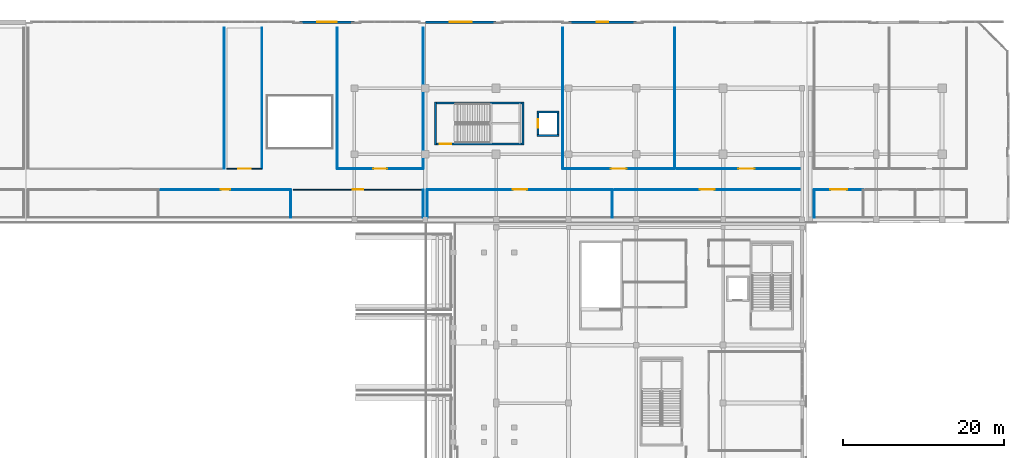
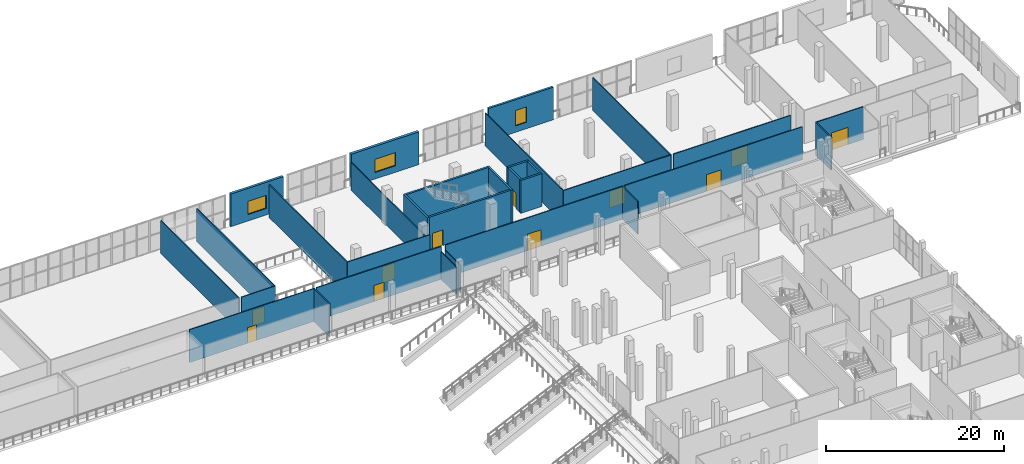
# One storey, part 87 of 129: 31 walls, 11 doors, 3 windows, 14 openings.
"""IFC4 building model written with IfcOpenShell, lengths in metres."""

from ifc_helpers import new_model, si_unit, direction, frame, frame_2d, origin, place, context, subcontext, project, spatial, rectangle, extrude, material, layer, layer_set, type_object, element, fill, save


model = new_model("IFC4")

# Units and contexts
model_context = context("Model", 3, precision=1e-05, world=origin(), true_north=direction((0.0, 1.0)))
body_context = subcontext(model_context, "Body", "Model", "MODEL_VIEW")
ifc_project = project(units=[si_unit("LENGTHUNIT", "METRE"), si_unit("AREAUNIT", "SQUARE_METRE"), si_unit("VOLUMEUNIT", "CUBIC_METRE"), si_unit("PLANEANGLEUNIT", "RADIAN"), si_unit("MASSUNIT", "GRAM", prefix="KILO")], contexts=[model_context])

# Site, building, storey
site_placement = place(None, origin())
site = spatial("IfcSite", under=ifc_project, at=site_placement, CompositionType="ELEMENT")
building_placement = place(site_placement, origin())
building = spatial("IfcBuilding", under=site, at=building_placement, Name="Koshinbarg Plaza Stadium", CompositionType="ELEMENT")
storey_placement = place(building_placement, frame((0.0, 0.0, 5.39990234375)))
storey = spatial("IfcBuildingStorey", under=building, at=storey_placement, Name="L01", CompositionType="ELEMENT", Elevation=5.39990234375)

# Walls
ifc_material_1 = material(Name="Concrete C40/50", Category="concrete")
ifc_layer_1 = layer(ifc_material_1, 0.25)
ifc_layer_set_1 = layer_set([ifc_layer_1], Name="Concrete C40/50")
wall_type_1 = type_object("IfcWallType", Name="WL-CORE-250", PredefinedType="SHEAR", material=ifc_layer_set_1)
for number, where, z_axis, x_axis, name in (
    (1, (172.875, 142.1201171875, 0.0), (0.0, 0.0, 1.0), (0.0, -1.0, 0.0), "L01 core stair shear wall C12-near IWL-L01-0278"),
    (2, (183.72509765625, 136.75, 0.0), (0.0, 0.0, 1.0), (0.0, 1.0, 0.0), "L01 core stair shear wall C12-far IWL-L01-0279"),
):
    element("IfcWall", number, at=place(storey_placement, frame(where, z_axis=z_axis, x_axis=x_axis)), inside=storey, type_object=wall_type_1, Name=name, PredefinedType="SHEAR", context=body_context, shape_type="SweptSolid", body=[
        extrude(rectangle(XDim=5.3701171875, YDim=0.25, at=frame_2d((2.68505859375, 0.0))), origin(), (0.0, 0.0, 1.0), 4.5),
    ])
wall_1_placement = place(storey_placement, frame((172.875, 141.9951171875, 0.0), z_axis=(0.0, 0.0, 1.0), x_axis=(1.0, 0.0, 0.0)))
element("IfcWall", 3, at=wall_1_placement, inside=storey, type_object=wall_type_1, Name="L01 core stair shear wall C12-left IWL-L01-0280", PredefinedType="SHEAR", context=body_context, shape_type="SweptSolid", body=[
    extrude(rectangle(XDim=10.85009765625, YDim=0.25, at=frame_2d((5.425048828125, 0.0))), origin(), (0.0, 0.0, 1.0), 4.5),
])

# Wall, opening, door
wall_2_placement = place(storey_placement, frame((172.875, 136.875, 0.0), z_axis=(0.0, 0.0, 1.0), x_axis=(1.0, 0.0, 0.0)))
wall_2 = element("IfcWall", 4, at=wall_2_placement, inside=storey, type_object=wall_type_1, Name="L01 core stair shear wall C12-right IWL-L01-0281", PredefinedType="SHEAR", context=body_context, shape_type="SweptSolid", body=[
    extrude(rectangle(XDim=10.85009765625, YDim=0.25, at=frame_2d((5.425048828125, 0.0))), origin(), (0.0, 0.0, 1.0), 4.5),
])
opening_1_placement = place(wall_2_placement, frame((0.52001953125, 0.0, 0.0)))
opening_1 = element("IfcOpeningElement", 5, at=opening_1_placement, cuts=wall_2, Name="Opening D-0132", PredefinedType="OPENING", context=body_context, shape_type="SweptSolid", body=[
    extrude(rectangle(XDim=1.39990234375, YDim=2.14990234375, at=frame_2d((0.699951171875, 1.074951171875))), frame((0.0, 0.135009765625, 0.0), z_axis=(0.0, -1.0, 0.0), x_axis=(1.0, 0.0, 0.0)), (0.0, 0.0, 1.0), 0.27001953125),
])
ifc_material_2 = material(Name="Painted galvanized steel fire door", Category="steel")
door_type_1 = type_object("IfcDoorType", Name="DR-STAIR-1400", OperationType="NOTDEFINED", PredefinedType="DOOR", material=ifc_material_2)
door_1_placement = place(opening_1_placement, origin())
door_1 = element("IfcDoor", 6, at=door_1_placement, inside=storey, type_object=door_type_1, Name="L01 exit stair door C12", OperationType="SINGLE_SWING_RIGHT", OverallHeight=2.14990234375, OverallWidth=1.39990234375, PredefinedType="DOOR", context=body_context, shape_type="SweptSolid", body=[
    extrude(rectangle(XDim=1.39990234375, YDim=2.14990234375, at=frame_2d((0.699951171875, 1.074951171875))), frame((0.0, 0.02490234375, 0.0), z_axis=(0.0, -1.0, 0.0), x_axis=(1.0, 0.0, 0.0)), (0.0, 0.0, 1.0), 0.050048828125),
])
fill(opening_1, door_1)

# Walls
for number, where, z_axis, x_axis, name in (
    (7, (185.47509765625, 137.949951171875, 0.0), (0.0, 0.0, 1.0), (1.0, 0.0, 0.0), "L01 lift shaft shear wall LP08-S IWL-L01-0978"),
    (8, (188.22509765625, 140.85009765625, 0.0), (0.0, 0.0, 1.0), (-1.0, 0.0, 0.0), "L01 lift shaft shear wall LP08-N IWL-L01-0979"),
):
    element("IfcWall", number, at=place(storey_placement, frame(where, z_axis=z_axis, x_axis=x_axis)), inside=storey, type_object=wall_type_1, Name=name, PredefinedType="SHEAR", context=body_context, shape_type="SweptSolid", body=[
        extrude(rectangle(XDim=2.75, YDim=0.25, at=frame_2d((1.375, 0.0))), origin(), (0.0, 0.0, 1.0), 4.5),
    ])

# Wall, opening, door
wall_3_placement = place(storey_placement, frame((185.60009765625, 140.85009765625, 0.0), z_axis=(0.0, 0.0, 1.0), x_axis=(0.0, -1.0, 0.0)))
wall_3 = element("IfcWall", 9, at=wall_3_placement, inside=storey, type_object=wall_type_1, Name="L01 lift shaft shear wall LP08-W IWL-L01-0980", PredefinedType="SHEAR", context=body_context, shape_type="SweptSolid", body=[
    extrude(rectangle(XDim=2.900146484375, YDim=0.25, at=frame_2d((1.4501953125, 0.0))), origin(), (0.0, 0.0, 1.0), 4.5),
])
opening_2_placement = place(wall_3_placement, frame((0.925048828125, 0.0, 0.0)))
opening_2 = element("IfcOpeningElement", 10, at=opening_2_placement, cuts=wall_3, Name="Opening D-0314", PredefinedType="OPENING", context=body_context, shape_type="SweptSolid", body=[
    extrude(rectangle(XDim=1.050048828125, YDim=2.14990234375, at=frame_2d((0.52490234375, 1.074951171875))), frame((0.0, 0.135009765625, 0.0), z_axis=(0.0, -1.0, 0.0), x_axis=(1.0, 0.0, 0.0)), (0.0, 0.0, 1.0), 0.27001953125),
])
ifc_material_3 = material(Name="Brushed stainless steel sliding lift landing door", Category="steel")
door_type_2 = type_object("IfcDoorType", Name="DR-LIFT-1050", OperationType="NOTDEFINED", PredefinedType="DOOR", material=ifc_material_3)
door_2_placement = place(opening_2_placement, origin())
door_2 = element("IfcDoor", 11, at=door_2_placement, inside=storey, type_object=door_type_2, Name="L01 lift landing door LP08", OperationType="SLIDING_TO_LEFT", OverallHeight=2.14990234375, OverallWidth=1.050048828125, PredefinedType="DOOR", context=body_context, shape_type="SweptSolid", body=[
    extrude(rectangle(XDim=1.050048828125, YDim=2.14990234375, at=frame_2d((0.52490234375, 1.074951171875))), frame((0.0, 0.02490234375, 0.0), z_axis=(0.0, -1.0, 0.0), x_axis=(1.0, 0.0, 0.0)), (0.0, 0.0, 1.0), 0.050048828125),
])
fill(opening_2, door_2)

# Wall
wall_4_placement = place(storey_placement, frame((188.10009765625, 137.949951171875, 0.0), z_axis=(0.0, 0.0, 1.0), x_axis=(0.0, 1.0, 0.0)))
element("IfcWall", 12, at=wall_4_placement, inside=storey, type_object=wall_type_1, Name="L01 lift shaft shear wall LP08-E IWL-L01-0981", PredefinedType="SHEAR", context=body_context, shape_type="SweptSolid", body=[
    extrude(rectangle(XDim=2.900146484375, YDim=0.25, at=frame_2d((1.4501953125, 0.0))), origin(), (0.0, 0.0, 1.0), 4.5),
])

# Wall, opening, window
ifc_material_4 = material(Name="Terracotta-ochre mineral plaster insulated wall", Category="masonry")
ifc_layer_2 = layer(ifc_material_4, 0.280029296875)
ifc_layer_set_2 = layer_set([ifc_layer_2], Name="Terracotta-ochre mineral plaster insulated wall")
wall_type_2 = type_object("IfcWallType", Name="WL-EXT-280", PredefinedType="SOLIDWALL", material=ifc_layer_set_2)
wall_5_placement = place(storey_placement, frame((189.39990234375, 152.0, 0.0), z_axis=(0.0, 0.0, 1.0), x_axis=(1.0, 0.0, 0.0)))
wall_5 = element("IfcWall", 13, at=wall_5_placement, inside=storey, type_object=wall_type_2, Name="L01 exterior envelope wall EWL-L01-0088", PredefinedType="SOLIDWALL", context=body_context, shape_type="SweptSolid", body=[
    extrude(rectangle(XDim=8.400146484375, YDim=0.280029296875, at=frame_2d((4.2001953125, 0.0))), origin(), (0.0, 0.0, 1.0), 4.47998046875),
])
opening_3_placement = place(wall_5_placement, frame((3.5, 0.0, 0.89990234375)))
opening_3 = element("IfcOpeningElement", 14, at=opening_3_placement, cuts=wall_5, Name="Opening WN13", PredefinedType="OPENING", context=body_context, shape_type="SweptSolid", body=[
    extrude(rectangle(XDim=1.39990234375, YDim=2.10009765625, at=frame_2d((0.699951171875, 1.050048828125))), frame((0.0, 0.14990234375, 0.0), z_axis=(0.0, -1.0, 0.0), x_axis=(1.0, 0.0, 0.0)), (0.0, 0.0, 1.0), 0.300048828125),
])
ifc_material_5 = material(Name="Solar-control double glazing in thermally broken aluminium frame", Category="aluminium")
window_type_1 = type_object("IfcWindowType", Name="WN-FAC-13", PartitioningType="DOUBLE_PANEL_VERTICAL", PredefinedType="WINDOW", material=ifc_material_5)
window_1_placement = place(opening_3_placement, origin())
window_1 = element("IfcWindow", 15, at=window_1_placement, inside=storey, type_object=window_type_1, Name="L01 facade window 0029", OverallHeight=2.10009765625, OverallWidth=1.39990234375, PartitioningType="SINGLE_PANEL", PredefinedType="WINDOW", context=body_context, shape_type="SweptSolid", body=[
    extrude(rectangle(XDim=1.39990234375, YDim=2.10009765625, at=frame_2d((0.699951171875, 1.050048828125))), frame((0.0, 0.030029296875, 0.0), z_axis=(0.0, -1.0, 0.0), x_axis=(1.0, 0.0, 0.0)), (0.0, 0.0, 1.0), 0.06005859375),
])
fill(opening_3, window_1)

ifc_material_6 = material(Name="Ultramarine-blue pigmented mineral plaster facade wall", Category="masonry")
ifc_layer_3 = layer(ifc_material_6, 0.320068359375)
ifc_layer_set_3 = layer_set([ifc_layer_3], Name="Ultramarine-blue pigmented mineral plaster facade wall")
wall_type_3 = type_object("IfcWallType", Name="WL-EXT-320", PredefinedType="SOLIDWALL", material=ifc_layer_set_3)
wall_6_placement = place(storey_placement, frame((156.0, 152.0, 0.0), z_axis=(0.0, 0.0, 1.0), x_axis=(1.0, 0.0, 0.0)))
wall_6 = element("IfcWall", 16, at=wall_6_placement, inside=storey, type_object=wall_type_3, Name="L01 exterior envelope wall EWL-L01-0086", PredefinedType="SOLIDWALL", context=body_context, shape_type="SweptSolid", body=[
    extrude(rectangle(XDim=6.800048828125, YDim=0.320068359375, at=frame_2d((3.39990234375, 0.0))), origin(), (0.0, 0.0, 1.0), 4.47998046875),
])
opening_4_placement = place(wall_6_placement, frame((2.199951171875, 0.0, 0.89990234375)))
opening_4 = element("IfcOpeningElement", 17, at=opening_4_placement, cuts=wall_6, Name="Opening WN11", PredefinedType="OPENING", context=body_context, shape_type="SweptSolid", body=[
    extrude(rectangle(XDim=2.39990234375, YDim=1.800048828125, at=frame_2d((1.199951171875, 0.89990234375))), frame((0.0, 0.169921875, 0.0), z_axis=(0.0, -1.0, 0.0), x_axis=(1.0, 0.0, 0.0)), (0.0, 0.0, 1.0), 0.340087890625),
])
window_type_2 = type_object("IfcWindowType", Name="WN-FAC-11", PartitioningType="DOUBLE_PANEL_VERTICAL", PredefinedType="WINDOW", material=ifc_material_5)
window_2_placement = place(opening_4_placement, origin())
window_2 = element("IfcWindow", 18, at=window_2_placement, inside=storey, type_object=window_type_2, Name="L01 facade window 0027", OverallHeight=1.800048828125, OverallWidth=2.39990234375, PartitioningType="SINGLE_PANEL", PredefinedType="WINDOW", context=body_context, shape_type="SweptSolid", body=[
    extrude(rectangle(XDim=2.39990234375, YDim=1.800048828125, at=frame_2d((1.199951171875, 0.89990234375))), frame((0.0, 0.030029296875, 0.0), z_axis=(0.0, -1.0, 0.0), x_axis=(1.0, 0.0, 0.0)), (0.0, 0.0, 1.0), 0.06005859375),
])
fill(opening_4, window_2)

ifc_material_7 = material(Name="Acoustic insulated masonry stadium wall", Category="masonry")
ifc_layer_4 = layer(ifc_material_7, 0.35009765625)
ifc_layer_set_4 = layer_set([ifc_layer_4], Name="Acoustic insulated masonry stadium wall")
wall_type_4 = type_object("IfcWallType", Name="WL-EXT-350", PredefinedType="SOLIDWALL", material=ifc_layer_set_4)
wall_7_placement = place(storey_placement, frame((171.60009765625, 152.0, 0.0), z_axis=(0.0, 0.0, 1.0), x_axis=(1.0, 0.0, 0.0)))
wall_7 = element("IfcWall", 19, at=wall_7_placement, inside=storey, type_object=wall_type_4, Name="L01 exterior envelope wall EWL-L01-0087", PredefinedType="SOLIDWALL", context=body_context, shape_type="SweptSolid", body=[
    extrude(rectangle(XDim=8.7998046875, YDim=0.35009765625, at=frame_2d((4.39990234375, 0.0))), origin(), (0.0, 0.0, 1.0), 4.47998046875),
])
opening_5_placement = place(wall_7_placement, frame((3.050048828125, 0.0, 0.89990234375)))
opening_5 = element("IfcOpeningElement", 20, at=opening_5_placement, cuts=wall_7, Name="Opening WN12", PredefinedType="OPENING", context=body_context, shape_type="SweptSolid", body=[
    extrude(rectangle(XDim=2.699951171875, YDim=1.800048828125, at=frame_2d((1.35009765625, 0.89990234375))), frame((0.0, 0.18505859375, 0.0), z_axis=(0.0, -1.0, 0.0), x_axis=(1.0, 0.0, 0.0)), (0.0, 0.0, 1.0), 0.3701171875),
])
window_type_3 = type_object("IfcWindowType", Name="WN-FAC-12", PartitioningType="DOUBLE_PANEL_VERTICAL", PredefinedType="WINDOW", material=ifc_material_5)
window_3_placement = place(opening_5_placement, origin())
window_3 = element("IfcWindow", 21, at=window_3_placement, inside=storey, type_object=window_type_3, Name="L01 facade window 0028", OverallHeight=1.800048828125, OverallWidth=2.699951171875, PartitioningType="SINGLE_PANEL", PredefinedType="WINDOW", context=body_context, shape_type="SweptSolid", body=[
    extrude(rectangle(XDim=2.699951171875, YDim=1.800048828125, at=frame_2d((1.35009765625, 0.89990234375))), frame((0.0, 0.030029296875, 0.0), z_axis=(0.0, -1.0, 0.0), x_axis=(1.0, 0.0, 0.0)), (0.0, 0.0, 1.0), 0.06005859375),
])
fill(opening_5, window_3)

# Wall
ifc_material_8 = material(Name="Gypsum board metal-stud acoustic partition")
ifc_layer_5 = layer(ifc_material_8, 0.1201171875)
ifc_layer_set_5 = layer_set([ifc_layer_5], Name="Gypsum board metal-stud acoustic partition")
wall_type_5 = type_object("IfcWallType", Name="WL-PART-120", PredefinedType="PARTITIONING", material=ifc_layer_set_5)
wall_8_placement = place(storey_placement, frame((154.876708984375, 127.7451171875, 0.0), z_axis=(0.0, 0.0, 1.0), x_axis=(0.0, 1.0, 0.0)))
element("IfcWall", 22, at=wall_8_placement, inside=storey, type_object=wall_type_5, Name="L01 interior partition L01-126-east IWL-L01-1478", PredefinedType="PARTITIONING", context=body_context, shape_type="SweptSolid", body=[
    extrude(rectangle(XDim=3.454833984375, YDim=0.1201171875, at=frame_2d((1.7275390625, 0.0))), origin(), (0.0, 0.0, 1.0), 4.5),
])

# Wall, opening, door
wall_9_placement = place(storey_placement, frame((154.876708984375, 131.199951171875, 0.0), z_axis=(0.0, 0.0, 1.0), x_axis=(-1.0, 0.0, 0.0)))
wall_9 = element("IfcWall", 23, at=wall_9_placement, inside=storey, type_object=wall_type_5, Name="L01 interior partition L01-126-north IWL-L01-1479", PredefinedType="PARTITIONING", context=body_context, shape_type="SweptSolid", body=[
    extrude(rectangle(XDim=16.1533203125, YDim=0.1201171875, at=frame_2d((8.07666015625, 0.0))), origin(), (0.0, 0.0, 1.0), 4.5),
])
opening_6_placement = place(wall_9_placement, frame((7.476806640625, 0.0, 0.0)))
opening_6 = element("IfcOpeningElement", 24, at=opening_6_placement, cuts=wall_9, Name="Opening D-0492", PredefinedType="OPENING", context=body_context, shape_type="SweptSolid", body=[
    extrude(rectangle(XDim=1.199951171875, YDim=2.14990234375, at=frame_2d((0.60009765625, 1.074951171875))), frame((0.0, 0.070068359375, 0.0), z_axis=(0.0, -1.0, 0.0), x_axis=(1.0, 0.0, 0.0)), (0.0, 0.0, 1.0), 0.14013671875),
])
ifc_material_9 = material(Name="Solid-core hardwood leaf in painted steel frame", Category="steel")
door_type_3 = type_object("IfcDoorType", Name="DR-INT-1200x2150", OperationType="NOTDEFINED", PredefinedType="DOOR", material=ifc_material_9)
door_3_placement = place(opening_6_placement, origin())
door_3 = element("IfcDoor", 25, at=door_3_placement, inside=storey, type_object=door_type_3, Name="L01 Museum Lecture Salon door D-0492", OperationType="SINGLE_SWING_RIGHT", OverallHeight=2.14990234375, OverallWidth=1.199951171875, PredefinedType="DOOR", context=body_context, shape_type="SweptSolid", body=[
    extrude(rectangle(XDim=1.199951171875, YDim=2.14990234375, at=frame_2d((0.60009765625, 1.074951171875))), frame((0.0, 0.02490234375, 0.0), z_axis=(0.0, -1.0, 0.0), x_axis=(1.0, 0.0, 0.0)), (0.0, 0.0, 1.0), 0.050048828125),
])
fill(opening_6, door_3)

# Wall
wall_10_placement = place(storey_placement, frame((171.330078125, 127.7451171875, 0.0), z_axis=(0.0, 0.0, 1.0), x_axis=(0.0, 1.0, 0.0)))
element("IfcWall", 26, at=wall_10_placement, inside=storey, type_object=wall_type_5, Name="L01 interior partition L01-127-east IWL-L01-1481", PredefinedType="PARTITIONING", context=body_context, shape_type="SweptSolid", body=[
    extrude(rectangle(XDim=3.454833984375, YDim=0.1201171875, at=frame_2d((1.7275390625, 0.0))), origin(), (0.0, 0.0, 1.0), 3.780029296875),
])

# Wall, opening, door
wall_11_placement = place(storey_placement, frame((171.330078125, 131.199951171875, 0.0), z_axis=(0.0, 0.0, 1.0), x_axis=(-1.0, 0.0, 0.0)))
wall_11 = element("IfcWall", 27, at=wall_11_placement, inside=storey, type_object=wall_type_5, Name="L01 interior partition L01-127-north IWL-L01-1482", PredefinedType="PARTITIONING", context=body_context, shape_type="SweptSolid", body=[
    extrude(rectangle(XDim=16.1533203125, YDim=0.1201171875, at=frame_2d((8.07666015625, 0.0))), origin(), (0.0, 0.0, 1.0), 4.5),
])
opening_7_placement = place(wall_11_placement, frame((7.4267578125, 0.0, 0.0)))
opening_7 = element("IfcOpeningElement", 28, at=opening_7_placement, cuts=wall_11, Name="Opening D-0493", PredefinedType="OPENING", context=body_context, shape_type="SweptSolid", body=[
    extrude(rectangle(XDim=1.300048828125, YDim=2.199951171875, at=frame_2d((0.64990234375, 1.10009765625))), frame((0.0, 0.070068359375, 0.0), z_axis=(0.0, -1.0, 0.0), x_axis=(1.0, 0.0, 0.0)), (0.0, 0.0, 1.0), 0.14013671875),
])
ifc_material_10 = material(Name="Thermally broken anodised aluminium glazed door", Category="aluminium")
door_type_4 = type_object("IfcDoorType", Name="DR-INT-1300x2200", OperationType="NOTDEFINED", PredefinedType="DOOR", material=ifc_material_10)
door_4_placement = place(opening_7_placement, origin())
door_4 = element("IfcDoor", 29, at=door_4_placement, inside=storey, type_object=door_type_4, Name="L01 Sports Museum Upper Hall door D-0493", OperationType="SINGLE_SWING_LEFT", OverallHeight=2.199951171875, OverallWidth=1.300048828125, PredefinedType="DOOR", context=body_context, shape_type="SweptSolid", body=[
    extrude(rectangle(XDim=1.300048828125, YDim=2.199951171875, at=frame_2d((0.64990234375, 1.10009765625))), frame((0.0, 0.02490234375, 0.0), z_axis=(0.0, -1.0, 0.0), x_axis=(1.0, 0.0, 0.0)), (0.0, 0.0, 1.0), 0.050048828125),
])
fill(opening_7, door_4)

# Wall
wall_12_placement = place(storey_placement, frame((146.64990234375, 133.800048828125, 0.0), z_axis=(0.0, 0.0, 1.0), x_axis=(0.0, 1.0, 0.0)))
element("IfcWall", 30, at=wall_12_placement, inside=storey, type_object=wall_type_5, Name="L01 interior partition L01-128-east IWL-L01-1484", PredefinedType="PARTITIONING", context=body_context, shape_type="SweptSolid", body=[
    extrude(rectangle(XDim=17.5, YDim=0.1201171875, at=frame_2d((8.75, 0.0))), origin(), (0.0, 0.0, 1.0), 4.5),
])

# Wall, opening, door
wall_13_placement = place(storey_placement, frame((146.949951171875, 133.800048828125, 0.0), z_axis=(0.0, 0.0, 1.0), x_axis=(1.0, 0.0, 0.0)))
wall_13 = element("IfcWall", 31, at=wall_13_placement, inside=storey, type_object=wall_type_5, Name="L01 interior partition L01-129-south IWL-L01-1486", PredefinedType="PARTITIONING", context=body_context, shape_type="SweptSolid", body=[
    extrude(rectangle(XDim=4.3701171875, YDim=0.1201171875, at=frame_2d((2.18505859375, 0.0))), origin(), (0.0, 0.0, 1.0), 4.5),
])
opening_8_placement = place(wall_13_placement, frame((1.409912109375, 0.0, 0.0)))
opening_8 = element("IfcOpeningElement", 32, at=opening_8_placement, cuts=wall_13, Name="Opening D-0495", PredefinedType="OPENING", context=body_context, shape_type="SweptSolid", body=[
    extrude(rectangle(XDim=1.550048828125, YDim=2.199951171875, at=frame_2d((0.77490234375, 1.10009765625))), frame((0.0, 0.070068359375, 0.0), z_axis=(0.0, -1.0, 0.0), x_axis=(1.0, 0.0, 0.0)), (0.0, 0.0, 1.0), 0.14013671875),
])
ifc_material_11 = material(Name="Toughened laminated glass in aluminium frame", Category="aluminium")
door_type_5 = type_object("IfcDoorType", Name="DR-INT-1550x2200", OperationType="NOTDEFINED", PredefinedType="DOOR", material=ifc_material_11)
door_5_placement = place(opening_8_placement, origin())
door_5 = element("IfcDoor", 33, at=door_5_placement, inside=storey, type_object=door_type_5, Name="L01 Sports Museum Upper Hall door D-0495", OperationType="DOUBLE_DOOR_SINGLE_SWING", OverallHeight=2.199951171875, OverallWidth=1.550048828125, PredefinedType="DOOR", context=body_context, shape_type="SweptSolid", body=[
    extrude(rectangle(XDim=1.550048828125, YDim=2.199951171875, at=frame_2d((0.77490234375, 1.10009765625))), frame((0.0, 0.02490234375, 0.0), z_axis=(0.0, -1.0, 0.0), x_axis=(1.0, 0.0, 0.0)), (0.0, 0.0, 1.0), 0.050048828125),
])
fill(opening_8, door_5)

# Wall
wall_14_placement = place(storey_placement, frame((151.320068359375, 133.800048828125, 0.0), z_axis=(0.0, 0.0, 1.0), x_axis=(0.0, 1.0, 0.0)))
element("IfcWall", 34, at=wall_14_placement, inside=storey, type_object=wall_type_5, Name="L01 interior partition L01-129-east IWL-L01-1487", PredefinedType="PARTITIONING", context=body_context, shape_type="SweptSolid", body=[
    extrude(rectangle(XDim=17.5, YDim=0.1201171875, at=frame_2d((8.75, 0.0))), origin(), (0.0, 0.0, 1.0), 4.5),
])

# Wall, opening, door
wall_15_placement = place(storey_placement, frame((160.679931640625, 133.800048828125, 0.0), z_axis=(0.0, 0.0, 1.0), x_axis=(1.0, 0.0, 0.0)))
wall_15 = element("IfcWall", 35, at=wall_15_placement, inside=storey, type_object=wall_type_5, Name="L01 interior partition L01-130-south IWL-L01-1488", PredefinedType="PARTITIONING", context=body_context, shape_type="SweptSolid", body=[
    extrude(rectangle(XDim=10.650146484375, YDim=0.1201171875, at=frame_2d((5.3251953125, 0.0))), origin(), (0.0, 0.0, 1.0), 4.5),
])
opening_9_placement = place(wall_15_placement, frame((4.485107421875, 0.0, 0.0)))
opening_9 = element("IfcOpeningElement", 36, at=opening_9_placement, cuts=wall_15, Name="Opening D-0496", PredefinedType="OPENING", context=body_context, shape_type="SweptSolid", body=[
    extrude(rectangle(XDim=1.679931640625, YDim=2.25, at=frame_2d((0.83984375, 1.125))), frame((0.0, 0.070068359375, 0.0), z_axis=(0.0, -1.0, 0.0), x_axis=(1.0, 0.0, 0.0)), (0.0, 0.0, 1.0), 0.14013671875),
])
ifc_material_12 = material(Name="Powder-coated aluminium double glazed door", Category="aluminium")
door_type_6 = type_object("IfcDoorType", Name="DR-INT-1680x2250", OperationType="NOTDEFINED", PredefinedType="DOOR", material=ifc_material_12)
door_6_placement = place(opening_9_placement, origin())
door_6 = element("IfcDoor", 37, at=door_6_placement, inside=storey, type_object=door_type_6, Name="L01 North Concourse Promenade door D-0496", OperationType="DOUBLE_DOOR_SINGLE_SWING", OverallHeight=2.25, OverallWidth=1.679931640625, PredefinedType="DOOR", context=body_context, shape_type="SweptSolid", body=[
    extrude(rectangle(XDim=1.679931640625, YDim=2.25, at=frame_2d((0.83984375, 1.125))), frame((0.0, 0.02490234375, 0.0), z_axis=(0.0, -1.0, 0.0), x_axis=(1.0, 0.0, 0.0)), (0.0, 0.0, 1.0), 0.050048828125),
])
fill(opening_9, door_6)

# Walls
wall_16_placement = place(storey_placement, frame((171.330078125, 133.800048828125, 0.0), z_axis=(0.0, 0.0, 1.0), x_axis=(0.0, 1.0, 0.0)))
element("IfcWall", 38, at=wall_16_placement, inside=storey, type_object=wall_type_5, Name="L01 interior partition L01-130-east IWL-L01-1489", PredefinedType="PARTITIONING", context=body_context, shape_type="SweptSolid", body=[
    extrude(rectangle(XDim=17.5, YDim=0.1201171875, at=frame_2d((8.75, 0.0))), origin(), (0.0, 0.0, 1.0), 3.780029296875),
])
wall_17_placement = place(storey_placement, frame((160.679931640625, 151.300048828125, 0.0), z_axis=(0.0, 0.0, 1.0), x_axis=(0.0, -1.0, 0.0)))
element("IfcWall", 39, at=wall_17_placement, inside=storey, type_object=wall_type_5, Name="L01 interior partition L01-130-west IWL-L01-1490", PredefinedType="PARTITIONING", context=body_context, shape_type="SweptSolid", body=[
    extrude(rectangle(XDim=17.5, YDim=0.1201171875, at=frame_2d((8.75, 0.0))), origin(), (0.0, 0.0, 1.0), 4.5),
])
wall_18_placement = place(storey_placement, frame((194.83740234375, 127.7451171875, 0.0), z_axis=(0.0, 0.0, 1.0), x_axis=(0.0, 1.0, 0.0)))
element("IfcWall", 40, at=wall_18_placement, inside=storey, type_object=wall_type_5, Name="L01 interior partition L01-131-east IWL-L01-1492", PredefinedType="PARTITIONING", context=body_context, shape_type="SweptSolid", body=[
    extrude(rectangle(XDim=3.454833984375, YDim=0.1201171875, at=frame_2d((1.7275390625, 0.0))), origin(), (0.0, 0.0, 1.0), 4.5),
])

# Wall, opening, door
wall_19_placement = place(storey_placement, frame((194.83740234375, 131.199951171875, 0.0), z_axis=(0.0, 0.0, 1.0), x_axis=(-1.0, 0.0, 0.0)))
wall_19 = element("IfcWall", 41, at=wall_19_placement, inside=storey, type_object=wall_type_5, Name="L01 interior partition L01-131-north IWL-L01-1493", PredefinedType="PARTITIONING", context=body_context, shape_type="SweptSolid", body=[
    extrude(rectangle(XDim=22.96728515625, YDim=0.1201171875, at=frame_2d((11.483642578125, 0.0))), origin(), (0.0, 0.0, 1.0), 4.5),
])
opening_10_placement = place(wall_19_placement, frame((10.603759765625, 0.0, 0.0)))
opening_10 = element("IfcOpeningElement", 42, at=opening_10_placement, cuts=wall_19, Name="Opening D-0497", PredefinedType="OPENING", context=body_context, shape_type="SweptSolid", body=[
    extrude(rectangle(XDim=1.760009765625, YDim=2.25, at=frame_2d((0.8798828125, 1.125))), frame((0.0, 0.070068359375, 0.0), z_axis=(0.0, -1.0, 0.0), x_axis=(1.0, 0.0, 0.0)), (0.0, 0.0, 1.0), 0.14013671875),
])
ifc_material_13 = material(Name="Solid-core oak veneer double swing door")
door_type_7 = type_object("IfcDoorType", Name="DR-INT-1760x2250", OperationType="NOTDEFINED", PredefinedType="DOOR", material=ifc_material_13)
door_7_placement = place(opening_10_placement, origin())
door_7 = element("IfcDoor", 43, at=door_7_placement, inside=storey, type_object=door_type_7, Name="L01 Museum Lecture Salon door D-0497", OperationType="DOUBLE_DOOR_SINGLE_SWING", OverallHeight=2.25, OverallWidth=1.760009765625, PredefinedType="DOOR", context=body_context, shape_type="SweptSolid", body=[
    extrude(rectangle(XDim=1.760009765625, YDim=2.25, at=frame_2d((0.8798828125, 1.125))), frame((0.0, 0.02490234375, 0.0), z_axis=(0.0, -1.0, 0.0), x_axis=(1.0, 0.0, 0.0)), (0.0, 0.0, 1.0), 0.050048828125),
])
fill(opening_10, door_7)

# Wall
wall_20_placement = place(storey_placement, frame((171.8701171875, 131.199951171875, 0.0), z_axis=(0.0, 0.0, 1.0), x_axis=(0.0, -1.0, 0.0)))
element("IfcWall", 44, at=wall_20_placement, inside=storey, type_object=wall_type_5, Name="L01 interior partition L01-131-west IWL-L01-1494", PredefinedType="PARTITIONING", context=body_context, shape_type="SweptSolid", body=[
    extrude(rectangle(XDim=3.454833984375, YDim=0.1201171875, at=frame_2d((1.7275390625, 0.0))), origin(), (0.0, 0.0, 1.0), 3.780029296875),
])

# Wall, opening, door
wall_21_placement = place(storey_placement, frame((218.10498046875, 131.199951171875, 0.0), z_axis=(0.0, 0.0, 1.0), x_axis=(-1.0, 0.0, 0.0)))
wall_21 = element("IfcWall", 45, at=wall_21_placement, inside=storey, type_object=wall_type_5, Name="L01 interior partition L01-132-north IWL-L01-1496", PredefinedType="PARTITIONING", context=body_context, shape_type="SweptSolid", body=[
    extrude(rectangle(XDim=22.967529296875, YDim=0.1201171875, at=frame_2d((11.48388671875, 0.0))), origin(), (0.0, 0.0, 1.0), 4.5),
])
opening_11_placement = place(wall_21_placement, frame((10.5537109375, 0.0, 0.0)))
opening_11 = element("IfcOpeningElement", 46, at=opening_11_placement, cuts=wall_21, Name="Opening D-0498", PredefinedType="OPENING", context=body_context, shape_type="SweptSolid", body=[
    extrude(rectangle(XDim=1.860107421875, YDim=2.300048828125, at=frame_2d((0.93017578125, 1.14990234375))), frame((0.0, 0.070068359375, 0.0), z_axis=(0.0, -1.0, 0.0), x_axis=(1.0, 0.0, 0.0)), (0.0, 0.0, 1.0), 0.14013671875),
])
ifc_material_14 = material(Name="Acoustic solid-core walnut veneer fire door")
door_type_8 = type_object("IfcDoorType", Name="DR-INT-1860x2300", OperationType="NOTDEFINED", PredefinedType="DOOR", material=ifc_material_14)
door_8_placement = place(opening_11_placement, origin())
door_8 = element("IfcDoor", 47, at=door_8_placement, inside=storey, type_object=door_type_8, Name="L01 Sports Museum Upper Hall door D-0498", OperationType="DOUBLE_DOOR_SINGLE_SWING", OverallHeight=2.300048828125, OverallWidth=1.860107421875, PredefinedType="DOOR", context=body_context, shape_type="SweptSolid", body=[
    extrude(rectangle(XDim=1.860107421875, YDim=2.300048828125, at=frame_2d((0.93017578125, 1.14990234375))), frame((0.0, 0.02490234375, 0.0), z_axis=(0.0, -1.0, 0.0), x_axis=(1.0, 0.0, 0.0)), (0.0, 0.0, 1.0), 0.050048828125),
])
fill(opening_11, door_8)

wall_22_placement = place(storey_placement, frame((188.679931640625, 133.800048828125, 0.0), z_axis=(0.0, 0.0, 1.0), x_axis=(1.0, 0.0, 0.0)))
wall_22 = element("IfcWall", 48, at=wall_22_placement, inside=storey, type_object=wall_type_5, Name="L01 interior partition L01-133-south IWL-L01-1497", PredefinedType="PARTITIONING", context=body_context, shape_type="SweptSolid", body=[
    extrude(rectangle(XDim=13.913330078125, YDim=0.1201171875, at=frame_2d((6.95654296875, 0.0))), origin(), (0.0, 0.0, 1.0), 4.5),
])
opening_12_placement = place(wall_22_placement, frame((5.9765625, 0.0, 0.0)))
opening_12 = element("IfcOpeningElement", 49, at=opening_12_placement, cuts=wall_22, Name="Opening D-0499", PredefinedType="OPENING", context=body_context, shape_type="SweptSolid", body=[
    extrude(rectangle(XDim=1.9599609375, YDim=2.300048828125, at=frame_2d((0.97998046875, 1.14990234375))), frame((0.0, 0.070068359375, 0.0), z_axis=(0.0, -1.0, 0.0), x_axis=(1.0, 0.0, 0.0)), (0.0, 0.0, 1.0), 0.14013671875),
])
ifc_material_15 = material(Name="Bronze-anodised aluminium glazed double door", Category="aluminium")
door_type_9 = type_object("IfcDoorType", Name="DR-INT-1960x2300", OperationType="NOTDEFINED", PredefinedType="DOOR", material=ifc_material_15)
door_9_placement = place(opening_12_placement, origin())
door_9 = element("IfcDoor", 50, at=door_9_placement, inside=storey, type_object=door_type_9, Name="L01 North Concourse Promenade door D-0499", OperationType="DOUBLE_DOOR_SINGLE_SWING", OverallHeight=2.300048828125, OverallWidth=1.9599609375, PredefinedType="DOOR", context=body_context, shape_type="SweptSolid", body=[
    extrude(rectangle(XDim=1.9599609375, YDim=2.300048828125, at=frame_2d((0.97998046875, 1.14990234375))), frame((0.0, 0.02490234375, 0.0), z_axis=(0.0, -1.0, 0.0), x_axis=(1.0, 0.0, 0.0)), (0.0, 0.0, 1.0), 0.050048828125),
])
fill(opening_12, door_9)

# Walls
for number, where, z_axis, x_axis, name in (
    (51, (202.59326171875, 133.800048828125, 0.0), (0.0, 0.0, 1.0), (0.0, 1.0, 0.0), "L01 interior partition L01-133-east IWL-L01-1498"),
    (52, (188.679931640625, 151.300048828125, 0.0), (0.0, 0.0, 1.0), (0.0, -1.0, 0.0), "L01 interior partition L01-133-west IWL-L01-1499"),
):
    element("IfcWall", number, at=place(storey_placement, frame(where, z_axis=z_axis, x_axis=x_axis)), inside=storey, type_object=wall_type_5, Name=name, PredefinedType="PARTITIONING", context=body_context, shape_type="SweptSolid", body=[
        extrude(rectangle(XDim=17.5, YDim=0.1201171875, at=frame_2d((8.75, 0.0))), origin(), (0.0, 0.0, 1.0), 4.5),
    ])

# Wall, opening, door
wall_23_placement = place(storey_placement, frame((202.893310546875, 133.800048828125, 0.0), z_axis=(0.0, 0.0, 1.0), x_axis=(1.0, 0.0, 0.0)))
wall_23 = element("IfcWall", 53, at=wall_23_placement, inside=storey, type_object=wall_type_5, Name="L01 interior partition L01-134-south IWL-L01-1500", PredefinedType="PARTITIONING", context=body_context, shape_type="SweptSolid", body=[
    extrude(rectangle(XDim=15.211669921875, YDim=0.1201171875, at=frame_2d((7.60595703125, 0.0))), origin(), (0.0, 0.0, 1.0), 4.5),
])
opening_13_placement = place(wall_23_placement, frame((7.560302734375, 0.0, 0.0)))
opening_13 = element("IfcOpeningElement", 54, at=opening_13_placement, cuts=wall_23, Name="Opening D-0500", PredefinedType="OPENING", context=body_context, shape_type="SweptSolid", body=[
    extrude(rectangle(XDim=2.080078125, YDim=2.35009765625, at=frame_2d((1.0400390625, 1.175048828125))), frame((0.0, 0.070068359375, 0.0), z_axis=(0.0, -1.0, 0.0), x_axis=(1.0, 0.0, 0.0)), (0.0, 0.0, 1.0), 0.14013671875),
])
ifc_material_16 = material(Name="Laminated safety glass aluminium vestibule door", Category="aluminium")
door_type_10 = type_object("IfcDoorType", Name="DR-INT-2080x2350", OperationType="NOTDEFINED", PredefinedType="DOOR", material=ifc_material_16)
door_10_placement = place(opening_13_placement, origin())
door_10 = element("IfcDoor", 55, at=door_10_placement, inside=storey, type_object=door_type_10, Name="L01 Interactive Football Exhibition Hall door D-0500", OperationType="DOUBLE_DOOR_SINGLE_SWING", OverallHeight=2.35009765625, OverallWidth=2.080078125, PredefinedType="DOOR", context=body_context, shape_type="SweptSolid", body=[
    extrude(rectangle(XDim=2.080078125, YDim=2.35009765625, at=frame_2d((1.0400390625, 1.175048828125))), frame((0.0, 0.02490234375, 0.0), z_axis=(0.0, -1.0, 0.0), x_axis=(1.0, 0.0, 0.0)), (0.0, 0.0, 1.0), 0.050048828125),
])
fill(opening_13, door_10)

wall_24_placement = place(storey_placement, frame((226.01318359375, 131.199951171875, 0.0), z_axis=(0.0, 0.0, 1.0), x_axis=(-1.0, 0.0, 0.0)))
wall_24 = element("IfcWall", 56, at=wall_24_placement, inside=storey, type_object=wall_type_5, Name="L01 interior partition L01-135-north IWL-L01-1503", PredefinedType="PARTITIONING", context=body_context, shape_type="SweptSolid", body=[
    extrude(rectangle(XDim=6.1181640625, YDim=0.1201171875, at=frame_2d((3.05908203125, 0.0))), origin(), (0.0, 0.0, 1.0), 4.5),
])
opening_14_placement = place(wall_24_placement, frame((1.97900390625, 0.0, 0.0)))
opening_14 = element("IfcOpeningElement", 57, at=opening_14_placement, cuts=wall_24, Name="Opening D-0501", PredefinedType="OPENING", context=body_context, shape_type="SweptSolid", body=[
    extrude(rectangle(XDim=2.159912109375, YDim=2.35009765625, at=frame_2d((1.080078125, 1.175048828125))), frame((0.0, 0.070068359375, 0.0), z_axis=(0.0, -1.0, 0.0), x_axis=(1.0, 0.0, 0.0)), (0.0, 0.0, 1.0), 0.14013671875),
])
ifc_material_17 = material(Name="Galvanized painted steel double leaf door", Category="steel")
door_type_11 = type_object("IfcDoorType", Name="DR-INT-2160x2350", OperationType="NOTDEFINED", PredefinedType="DOOR", material=ifc_material_17)
door_11_placement = place(opening_14_placement, origin())
door_11 = element("IfcDoor", 58, at=door_11_placement, inside=storey, type_object=door_type_11, Name="L01 Sports Museum Upper Hall door D-0501", OperationType="DOUBLE_DOOR_SINGLE_SWING", OverallHeight=2.35009765625, OverallWidth=2.159912109375, PredefinedType="DOOR", context=body_context, shape_type="SweptSolid", body=[
    extrude(rectangle(XDim=2.159912109375, YDim=2.35009765625, at=frame_2d((1.080078125, 1.175048828125))), frame((0.0, 0.02490234375, 0.0), z_axis=(0.0, -1.0, 0.0), x_axis=(1.0, 0.0, 0.0)), (0.0, 0.0, 1.0), 0.050048828125),
])
fill(opening_14, door_11)

# Wall
wall_25_placement = place(storey_placement, frame((219.89501953125, 131.199951171875, 0.0), z_axis=(0.0, 0.0, 1.0), x_axis=(0.0, -1.0, 0.0)))
element("IfcWall", 59, at=wall_25_placement, inside=storey, type_object=wall_type_5, Name="L01 interior partition L01-135-west IWL-L01-1504", PredefinedType="PARTITIONING", context=body_context, shape_type="SweptSolid", body=[
    extrude(rectangle(XDim=3.454833984375, YDim=0.1201171875, at=frame_2d((1.7275390625, 0.0))), origin(), (0.0, 0.0, 1.0), 4.5),
])

save(model, "model.ifc")
